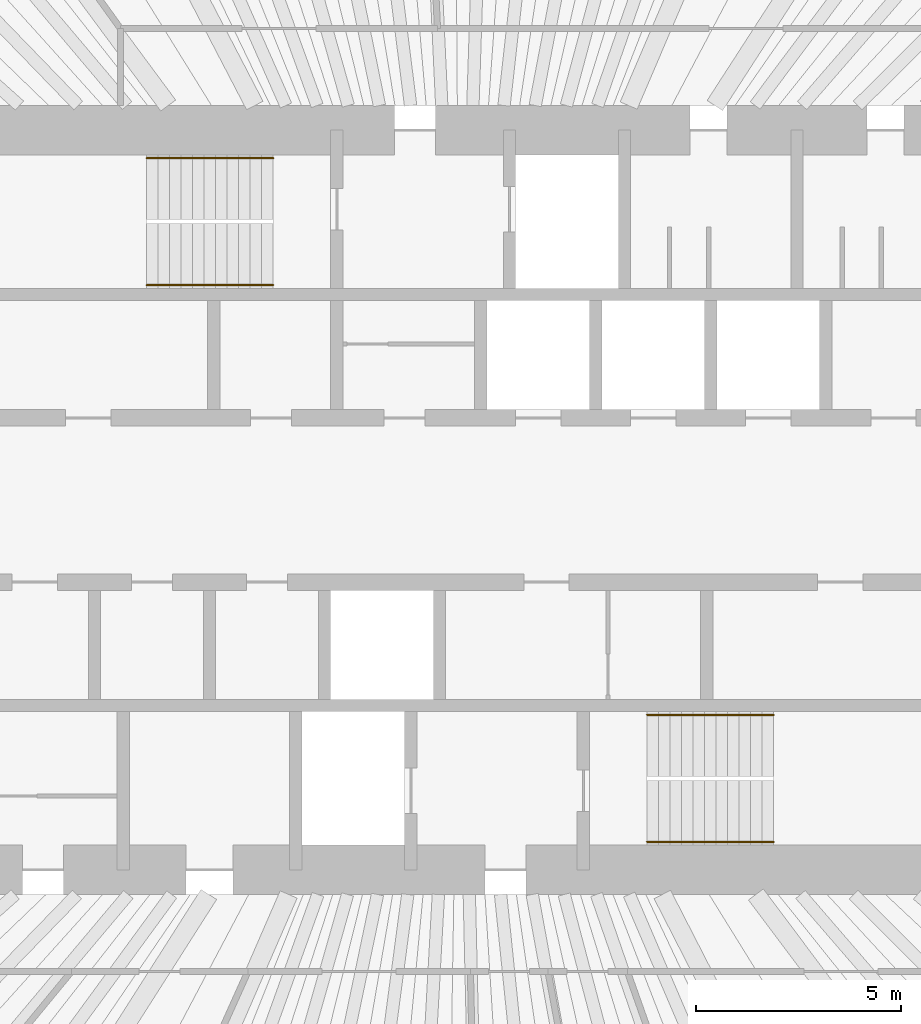
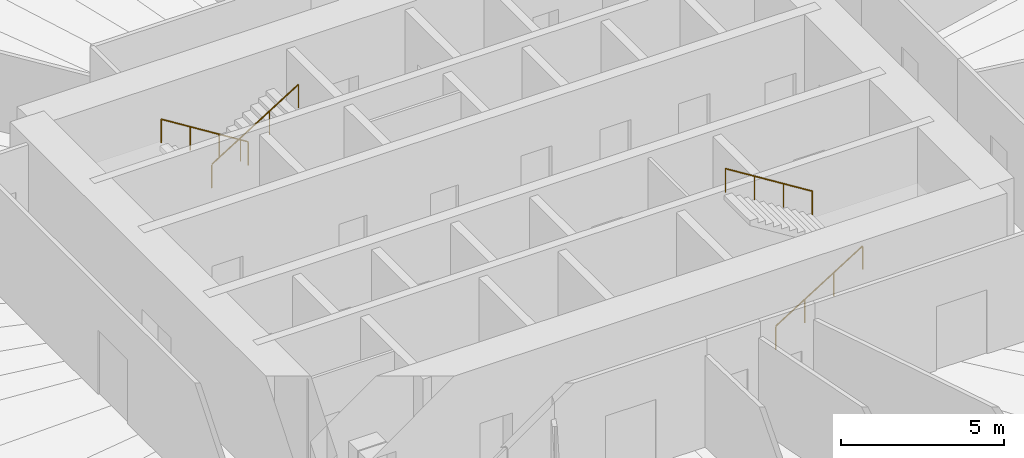
# One storey, part 13 of 13: 4 railings.
"""IFC4 building model written with IfcOpenShell, lengths in metres."""

from ifc_helpers import new_model, si_unit, direction, frame, origin, origin_2d, place, context, subcontext, project, spatial, circle, extrude, material, type_object, element, save


model = new_model("IFC4")

# Units and contexts
model_context = context("Model", 3, precision=1e-05, world=origin(), true_north=direction((0.0, 1.0)))
body_context = subcontext(model_context, "Body", "Model", "MODEL_VIEW")
ifc_project = project(units=[si_unit("LENGTHUNIT", "METRE"), si_unit("AREAUNIT", "SQUARE_METRE"), si_unit("VOLUMEUNIT", "CUBIC_METRE"), si_unit("PLANEANGLEUNIT", "RADIAN"), si_unit("MASSUNIT", "GRAM", prefix="KILO")], contexts=[model_context])

# Site, building, storey
site_placement = place(None, origin())
site = spatial("IfcSite", under=ifc_project, at=site_placement, CompositionType="ELEMENT")
building_placement = place(site_placement, origin())
building = spatial("IfcBuilding", under=site, at=building_placement, Name="Qingtian Harvest Tower", CompositionType="ELEMENT")
storey_placement = place(building_placement, frame((0.0, 0.0, 226.60009765625)))
storey = spatial("IfcBuildingStorey", under=building, at=storey_placement, Name="L49", CompositionType="ELEMENT", Elevation=226.60009765625)

# Railings
ifc_material = material(Name="Stainless steel handrail", Category="steel")
railing_type = type_object("IfcRailingType", Name="Handrail HR1", PredefinedType="HANDRAIL", material=ifc_material)
railing_1_placement = place(storey_placement, frame((-4.550048828125, 8.320068359375, 0.1748046875)))
element("IfcRailing", 1, at=railing_1_placement, inside=storey, type_object=railing_type, Name="Handrail HR1 S1 flight 1", PredefinedType="HANDRAIL", context=body_context, shape_type="SweptSolid", body=[
    extrude(circle(Radius=0.02392578125, at=origin_2d()), frame((0.0, 0.0, 0.8759765625), z_axis=(-0.847979421464, 0.0, 0.530029150871), x_axis=(0.0, -1.0, 0.0)), (0.0, 0.0, 1.0), 3.632080078125),
    extrude(circle(Radius=0.02099609375, at=origin_2d()), origin(), (0.0, 0.0, 1.0), 0.851806640625),
    extrude(circle(Radius=0.02099609375, at=origin_2d()), frame((-1.026611328125, 0.0, 0.6416015625)), (0.0, 0.0, 1.0), 0.851806640625),
    extrude(circle(Radius=0.02099609375, at=origin_2d()), frame((-2.05322265625, 0.0, 1.283447265625)), (0.0, 0.0, 1.0), 0.851806640625),
    extrude(circle(Radius=0.02099609375, at=origin_2d()), frame((-3.079833984375, 0.0, 1.925048828125)), (0.0, 0.0, 1.0), 0.851806640625),
])
for number, where, name in (
    (2, (-7.6298828125, 5.22998046875, 2.27490234375), "Handrail HR1 S1 flight 2"),
    (3, (4.550048828125, -8.320068359375, 0.1748046875), "Handrail HR1 S2 flight 1"),
):
    element("IfcRailing", number, at=place(storey_placement, frame(where)), inside=storey, type_object=railing_type, Name=name, PredefinedType="HANDRAIL", context=body_context, shape_type="SweptSolid", body=[
        extrude(circle(Radius=0.02392578125, at=origin_2d()), frame((0.0, 0.0, 0.8759765625), z_axis=(0.847979421464, 0.0, 0.530029150871), x_axis=(0.0, 1.0, 0.0)), (0.0, 0.0, 1.0), 3.632080078125),
        extrude(circle(Radius=0.02099609375, at=origin_2d()), origin(), (0.0, 0.0, 1.0), 0.851806640625),
        extrude(circle(Radius=0.02099609375, at=origin_2d()), frame((1.026611328125, 0.0, 0.6416015625)), (0.0, 0.0, 1.0), 0.851806640625),
        extrude(circle(Radius=0.02099609375, at=origin_2d()), frame((2.05322265625, 0.0, 1.283447265625)), (0.0, 0.0, 1.0), 0.851806640625),
        extrude(circle(Radius=0.02099609375, at=origin_2d()), frame((3.079833984375, 0.0, 1.925048828125)), (0.0, 0.0, 1.0), 0.851806640625),
    ])
railing_2_placement = place(storey_placement, frame((7.6298828125, -5.22998046875, 2.27490234375)))
element("IfcRailing", 4, at=railing_2_placement, inside=storey, type_object=railing_type, Name="Handrail HR1 S2 flight 2", PredefinedType="HANDRAIL", context=body_context, shape_type="SweptSolid", body=[
    extrude(circle(Radius=0.02392578125, at=origin_2d()), frame((0.0, 0.0, 0.8759765625), z_axis=(-0.847979421464, 0.0, 0.530029150871), x_axis=(0.0, -1.0, 0.0)), (0.0, 0.0, 1.0), 3.632080078125),
    extrude(circle(Radius=0.02099609375, at=origin_2d()), origin(), (0.0, 0.0, 1.0), 0.851806640625),
    extrude(circle(Radius=0.02099609375, at=origin_2d()), frame((-1.026611328125, 0.0, 0.6416015625)), (0.0, 0.0, 1.0), 0.851806640625),
    extrude(circle(Radius=0.02099609375, at=origin_2d()), frame((-2.05322265625, 0.0, 1.283447265625)), (0.0, 0.0, 1.0), 0.851806640625),
    extrude(circle(Radius=0.02099609375, at=origin_2d()), frame((-3.079833984375, 0.0, 1.925048828125)), (0.0, 0.0, 1.0), 0.851806640625),
])

save(model, "model.ifc")
